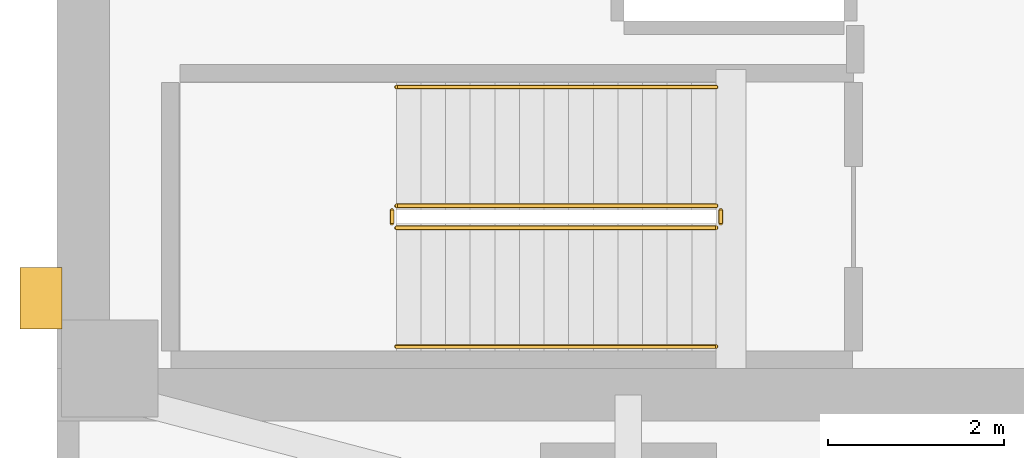
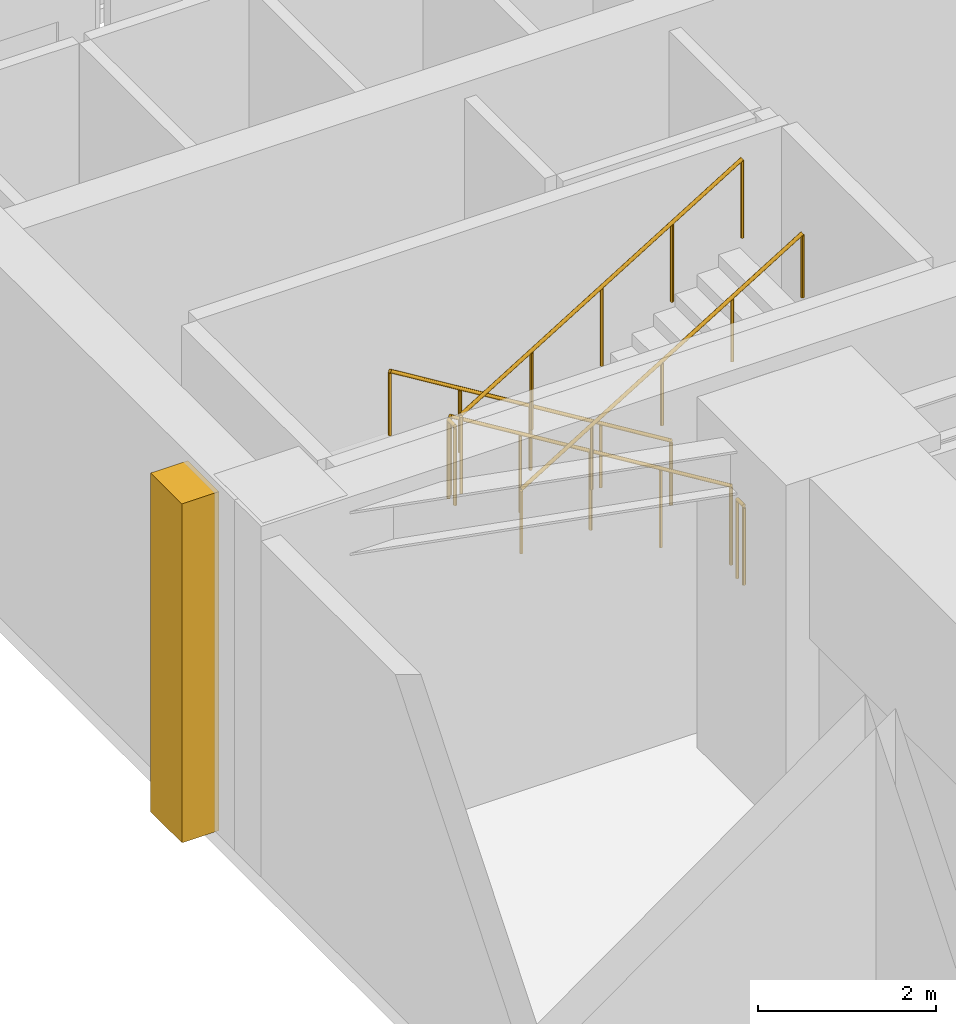
# One storey, part 11 of 14: 6 railings, 1 covering.
"""IFC4 building model written with IfcOpenShell, lengths in metres."""

import ifcopenshell
import ifcopenshell.guid

model = None  # the IFC model being written
_history = None  # IfcOwnerHistory: only IFC2X3 demands one
_inside = {}  # id of a spatial element -> (the spatial element, [elements in it])
_under = {}  # id of a project, library or spatial element -> (it, [spatial elements below it])
_declared = {}  # id of a project -> (the project, [libraries it declares])
_typed = {}  # id of a type object -> (the type object, [elements of that type])
_made_of = {}  # id of a material, layer set ... -> (it, [elements and type objects made of it])


def new_model(schema):
    """Start an empty IFC model of exactly this schema.

    Asked for "IFC4X3", IfcOpenShell would pick the latest addendum, in which some entities
    have other attributes; the version numbers below select the first issue.
    IFC2X3 requires an IfcOwnerHistory on every rooted entity: one is made here for all.
    """
    global model, _history
    if schema == "IFC4X3":
        model = ifcopenshell.file(schema_version=(4, 3, 0, 0))
    else:
        model = ifcopenshell.file(schema=schema)
    _inside.clear()
    _under.clear()
    _declared.clear()
    _typed.clear()
    _made_of.clear()
    _history = None
    if model.schema == "IFC2X3":
        org = make("IfcOrganization", Name="unknown")
        user = make(
            "IfcPersonAndOrganization",
            ThePerson=make("IfcPerson", FamilyName="unknown"),
            TheOrganization=org,
        )
        app = make(
            "IfcApplication",
            ApplicationDeveloper=org,
            Version="unknown",
            ApplicationFullName="unknown",
            ApplicationIdentifier="unknown",
        )
        _history = make(
            "IfcOwnerHistory",
            OwningUser=user,
            OwningApplication=app,
            ChangeAction="ADDED",
            CreationDate=0,
        )
    return model


def make(cls, **values):
    """One entity of the class cls with the attributes given. An attribute that is None is left unset."""
    return model.create_entity(
        cls, **{name: value for name, value in values.items() if value is not None}
    )


def rooted(cls, **values):
    """An entity with a GlobalId (a new one), such as an element, a storey or a relation."""
    return make(cls, GlobalId=ifcopenshell.guid.new(), OwnerHistory=_history, **values)


def si_unit(unit_type, name, prefix=None):
    """IfcSIUnit, for example si_unit("LENGTHUNIT", "METRE", prefix="MILLI")."""
    return make("IfcSIUnit", UnitType=unit_type, Prefix=prefix, Name=name)


def assignment(units):
    """IfcUnitAssignment: the units of a project."""
    return None if units is None else make("IfcUnitAssignment", Units=units)


def point(xyz):
    """IfcCartesianPoint."""
    return None if xyz is None else make("IfcCartesianPoint", Coordinates=xyz)


def direction(xyz):
    """IfcDirection."""
    return None if xyz is None else make("IfcDirection", DirectionRatios=xyz)


def frame(location, z_axis=None, x_axis=None):
    """IfcAxis2Placement3D, a coordinate frame: its origin and axes. An axis left out is left unset."""
    return make(
        "IfcAxis2Placement3D",
        Location=point(location),
        Axis=direction(z_axis),
        RefDirection=direction(x_axis),
    )


def frame_2d(location, x_axis=None):
    """IfcAxis2Placement2D, a coordinate frame in the plane: its origin and x axis."""
    return make(
        "IfcAxis2Placement2D", Location=point(location), RefDirection=direction(x_axis)
    )


def origin():
    """The frame at (0, 0, 0) with its axes left unset."""
    return frame((0.0, 0.0, 0.0))


def origin_2d():
    """The frame at (0, 0) in the plane with its x axis left unset."""
    return frame_2d((0.0, 0.0))


def place(relative_to, where):
    """IfcLocalPlacement: puts the frame where relative to a parent placement (None: the world)."""
    return make(
        "IfcLocalPlacement", PlacementRelTo=relative_to, RelativePlacement=where
    )


def context(
    kind, dimensions, precision=None, world=None, true_north=None, identifier=None
):
    """IfcGeometricRepresentationContext, for example the 3D "Model" context."""
    return make(
        "IfcGeometricRepresentationContext",
        ContextIdentifier=identifier,
        ContextType=kind,
        CoordinateSpaceDimension=dimensions,
        Precision=precision,
        WorldCoordinateSystem=world,
        TrueNorth=true_north,
    )


def subcontext(parent, identifier, kind, view, scale=None):
    """IfcGeometricRepresentationSubContext, for example "Body" below "Model"."""
    return make(
        "IfcGeometricRepresentationSubContext",
        ContextIdentifier=identifier,
        ContextType=kind,
        ParentContext=parent,
        TargetScale=scale,
        TargetView=view,
    )


def project(units=None, contexts=None):
    """IfcProject with its units and contexts."""
    return rooted(
        "IfcProject",
        Name="project",
        RepresentationContexts=contexts,
        UnitsInContext=assignment(units),
    )


def spatial(cls, under=None, at=None, **own):
    """A site, building, storey or space (cls), placed at a placement, below another one or the project."""
    s = rooted(cls, ObjectPlacement=at, **own)
    if under is not None:
        _under.setdefault(under.id(), (under, []))[1].append(s)
    return s


def polyline(points):
    """IfcPolyline through the points."""
    return make("IfcPolyline", Points=[point(p) for p in points])


def profile(cls, at=None, kind="AREA", **sizes):
    """A parametric profile (cls). Its sizes go by their IFC names, for example OverallWidth=200.0."""
    return make(cls, ProfileType=kind, Position=at, **sizes)


def circle(**sizes):
    """IfcCircleProfileDef."""
    return profile("IfcCircleProfileDef", **sizes)


def outline(outer, holes=None, kind="AREA"):
    """IfcArbitraryClosedProfileDef: a profile drawn as a closed curve; with holes, ...WithVoids."""
    if holes is None:
        return make("IfcArbitraryClosedProfileDef", ProfileType=kind, OuterCurve=outer)
    return make(
        "IfcArbitraryProfileDefWithVoids",
        ProfileType=kind,
        OuterCurve=outer,
        InnerCurves=holes,
    )


def extrude(swept, where, along, depth):
    """IfcExtrudedAreaSolid: the profile swept, set in the frame where, extruded along a direction by depth."""
    return make(
        "IfcExtrudedAreaSolid",
        SweptArea=swept,
        Position=where,
        ExtrudedDirection=direction(along),
        Depth=depth,
    )


def shape(context_of_items, identifier, shape_type, items):
    """IfcShapeRepresentation: the items that make up one representation, for example the "Body"."""
    return make(
        "IfcShapeRepresentation",
        ContextOfItems=context_of_items,
        RepresentationIdentifier=identifier,
        RepresentationType=shape_type,
        Items=items,
    )


def material(Name=None, Category=None):
    """IfcMaterial."""
    return make("IfcMaterial", Name=Name, Category=Category)


def layer(
    of_material, thickness, ventilated=None, Name=None, Category=None, Priority=None
):
    """IfcMaterialLayer: one layer of a wall or slab, of a material (None: an air gap)."""
    return make(
        "IfcMaterialLayer",
        Material=of_material,
        LayerThickness=thickness,
        IsVentilated=ventilated,
        Name=Name,
        Category=Category,
        Priority=Priority,
    )


def layer_set(layers, Name=None):
    """IfcMaterialLayerSet."""
    return make("IfcMaterialLayerSet", MaterialLayers=layers, LayerSetName=Name)


def made_of(thing, what):
    """Note that an element or type object is made of a material, layer set ...; save() writes the relation."""
    if what is not None:
        _made_of.setdefault(what.id(), (what, []))[1].append(thing)
    return thing


def type_object(cls, material=None, **own):
    """A type object (cls), such as IfcWallType, which elements share."""
    return made_of(rooted(cls, **own), material)


def element(
    cls,
    number,
    at=None,
    inside=None,
    cuts=None,
    type_object=None,
    material=None,
    context=None,
    identifier="Body",
    shape_type=None,
    held_by="IfcProductDefinitionShape",
    body=None,
    shapes=None,
    **own,
):
    """One element of the class cls, such as IfcWall. Its Tag is "e" and its number.

    at: its placement. inside: the storey or other place that contains it. cuts: it is an
    opening in that element (IfcRelVoidsElement). A single representation is given by context,
    identifier, shape_type and body (its items); several are given by shapes. held_by: the class
    of the entity that holds the representations. save() writes the other relations.
    """
    e = rooted(cls, Tag="e%d" % number, ObjectPlacement=at, **own)
    if body is not None:
        shapes = [shape(context, identifier, shape_type, body)]
    if shapes is not None:
        e.Representation = make(held_by, Representations=shapes)
    if inside is not None:
        _inside.setdefault(inside.id(), (inside, []))[1].append(e)
    if cuts is not None:
        rooted(
            "IfcRelVoidsElement", RelatingBuildingElement=cuts, RelatedOpeningElement=e
        )
    if type_object is not None:
        _typed.setdefault(type_object.id(), (type_object, []))[1].append(e)
    return made_of(e, material)


def aggregate(whole, parts):
    """IfcRelAggregates: a whole, such as a stair, and the parts it consists of."""
    return rooted("IfcRelAggregates", RelatingObject=whole, RelatedObjects=parts)


def save(model, path):
    """Write the relations noted so far, then the file.

    IfcRelAggregates (storeys below a building ...), IfcRelContainedInSpatialStructure (elements
    in a storey), IfcRelDefinesByType, IfcRelAssociatesMaterial and IfcRelDeclares: one each for
    every whole, place, type object, material and project.
    """
    for whole, parts in _under.values():
        aggregate(whole, parts)
    for where, things in _inside.values():
        rooted(
            "IfcRelContainedInSpatialStructure",
            RelatedElements=things,
            RelatingStructure=where,
        )
    for kind, things in _typed.values():
        rooted("IfcRelDefinesByType", RelatedObjects=things, RelatingType=kind)
    for what, things in _made_of.values():
        rooted("IfcRelAssociatesMaterial", RelatedObjects=things, RelatingMaterial=what)
    for by, libraries in _declared.values():
        rooted("IfcRelDeclares", RelatingContext=by, RelatedDefinitions=libraries)
    model.write(path)


model = new_model("IFC4")

# Units and contexts
model_context = context("Model", 3, precision=1e-05, world=origin(), true_north=direction((0.0, 1.0)))
body_context = subcontext(model_context, "Body", "Model", "MODEL_VIEW")
ifc_project = project(units=[si_unit("LENGTHUNIT", "METRE"), si_unit("AREAUNIT", "SQUARE_METRE"), si_unit("VOLUMEUNIT", "CUBIC_METRE"), si_unit("PLANEANGLEUNIT", "RADIAN"), si_unit("MASSUNIT", "GRAM", prefix="KILO")], contexts=[model_context])

# Site, building, storey
site_placement = place(None, origin())
site = spatial("IfcSite", under=ifc_project, at=site_placement, CompositionType="ELEMENT")
building_placement = place(site_placement, origin())
building = spatial("IfcBuilding", under=site, at=building_placement, Name="Kinhvarn Gate Tower", CompositionType="ELEMENT")
storey_placement = place(building_placement, frame((0.0, 0.0, 173.25)))
storey = spatial("IfcBuildingStorey", under=building, at=storey_placement, Name="L46", CompositionType="ELEMENT", Elevation=173.25)

# Covering
ifc_material_1 = material(Name="Precast white architectural concrete C40/50", Category="concrete")
ifc_layer = layer(ifc_material_1, 0.47998046875)
ifc_layer_set = layer_set([ifc_layer], Name="Precast white architectural concrete C40/50")
covering_type = type_object("IfcCoveringType", Name="COV-RIB-450", PredefinedType="CLADDING", material=ifc_layer_set)
covering_placement = place(storey_placement, frame((0.0, 0.0, -0.02001953125)))
element("IfcCovering", 1, at=covering_placement, inside=storey, type_object=covering_type, Name="West Core Sculptural Concrete Relief Rib CRB-450 (L46)", PredefinedType="CLADDING", context=body_context, shape_type="SweptSolid", body=[
    extrude(outline(polyline([(4.080078125, 15.050048828125), (4.56005859375, 15.050048828125), (4.56005859375, 15.75), (4.080078125, 15.75), (4.080078125, 15.050048828125)])), origin(), (0.0, 0.0, 1.0), 4.64013671875),
])

# Railings
ifc_material_2 = material(Name="Steel S355", Category="steel")
railing_type_1 = type_object("IfcRailingType", Name="RL-ST-GRD", PredefinedType="BALUSTRADE", material=ifc_material_2)
railing_1_placement = place(storey_placement, frame((12.0, 16.449951171875, 0.17138671875)))
element("IfcRailing", 2, at=railing_1_placement, inside=storey, type_object=railing_type_1, Name="L46 ST1 stair guard 1", PredefinedType="BALUSTRADE", context=body_context, shape_type="SweptSolid", body=[
    extrude(circle(Radius=0.02392578125, at=origin_2d()), frame((0.0, 0.0, 1.076171875), z_axis=(-0.852850264322, 0.0, 0.5221555579), x_axis=(0.0, -1.0, 0.0)), (0.0, 0.0, 1.0), 4.267822265625),
    extrude(circle(Radius=0.02099609375, at=origin_2d()), origin(), (0.0, 0.0, 1.0), 1.052001953125),
    extrude(circle(Radius=0.02099609375, at=origin_2d()), frame((-0.909912109375, 0.0, 0.55712890625)), (0.0, 0.0, 1.0), 1.052001953125),
    extrude(circle(Radius=0.02099609375, at=origin_2d()), frame((-1.81982421875, 0.0, 1.1142578125)), (0.0, 0.0, 1.0), 1.052001953125),
    extrude(circle(Radius=0.02099609375, at=origin_2d()), frame((-2.72998046875, 0.0, 1.67138671875)), (0.0, 0.0, 1.0), 1.052001953125),
    extrude(circle(Radius=0.02099609375, at=origin_2d()), frame((-3.639892578125, 0.0, 2.228515625)), (0.0, 0.0, 1.0), 1.052001953125),
])
railing_2_placement = place(storey_placement, frame((8.31005859375, 16.39990234375, 2.39990234375)))
element("IfcRailing", 3, at=railing_2_placement, inside=storey, type_object=railing_type_1, Name="L46 ST1 stair guard 2", PredefinedType="BALUSTRADE", context=body_context, shape_type="SweptSolid", body=[
    extrude(circle(Radius=0.02392578125, at=origin_2d()), frame((0.0, 0.0, 1.076171875), z_axis=(0.0, -1.0, 0.0), x_axis=(1.0, 0.0, 0.0)), (0.0, 0.0, 1.0), 0.14990234375),
    extrude(circle(Radius=0.02099609375, at=origin_2d()), origin(), (0.0, 0.0, 1.0), 1.052001953125),
    extrude(circle(Radius=0.02099609375, at=origin_2d()), frame((0.0, -0.14990234375, 0.0)), (0.0, 0.0, 1.0), 1.052001953125),
])
railing_3_placement = place(storey_placement, frame((8.360107421875, 16.199951171875, 2.571533203125)))
element("IfcRailing", 4, at=railing_3_placement, inside=storey, type_object=railing_type_1, Name="L46 ST1 stair guard 3", PredefinedType="BALUSTRADE", context=body_context, shape_type="SweptSolid", body=[
    extrude(circle(Radius=0.02392578125, at=origin_2d()), frame((0.0, 0.0, 1.076171875), z_axis=(0.852850264322, 0.0, 0.5221555579), x_axis=(0.0, 1.0, 0.0)), (0.0, 0.0, 1.0), 4.267822265625),
    extrude(circle(Radius=0.02099609375, at=origin_2d()), origin(), (0.0, 0.0, 1.0), 1.052001953125),
    extrude(circle(Radius=0.02099609375, at=origin_2d()), frame((0.909912109375, 0.0, 0.55712890625)), (0.0, 0.0, 1.0), 1.052001953125),
    extrude(circle(Radius=0.02099609375, at=origin_2d()), frame((1.81982421875, 0.0, 1.1142578125)), (0.0, 0.0, 1.0), 1.052001953125),
    extrude(circle(Radius=0.02099609375, at=origin_2d()), frame((2.72998046875, 0.0, 1.67138671875)), (0.0, 0.0, 1.0), 1.052001953125),
    extrude(circle(Radius=0.02099609375, at=origin_2d()), frame((3.639892578125, 0.0, 2.228515625)), (0.0, 0.0, 1.0), 1.052001953125),
])
railing_4_placement = place(storey_placement, frame((12.050048828125, 16.39990234375, 0.0)))
element("IfcRailing", 5, at=railing_4_placement, inside=storey, type_object=railing_type_1, Name="L46 ST1 stair guard 4", PredefinedType="BALUSTRADE", context=body_context, shape_type="SweptSolid", body=[
    extrude(circle(Radius=0.02392578125, at=origin_2d()), frame((0.0, 0.0, 1.076171875), z_axis=(0.0, -1.0, 0.0), x_axis=(1.0, 0.0, 0.0)), (0.0, 0.0, 1.0), 0.14990234375),
    extrude(circle(Radius=0.02099609375, at=origin_2d()), origin(), (0.0, 0.0, 1.0), 1.052001953125),
    extrude(circle(Radius=0.02099609375, at=origin_2d()), frame((0.0, -0.14990234375, 0.0)), (0.0, 0.0, 1.0), 1.052001953125),
])
railing_type_2 = type_object("IfcRailingType", Name="RL-ST-HND", PredefinedType="HANDRAIL", material=ifc_material_2)
railing_5_placement = place(storey_placement, frame((12.0, 17.800048828125, 0.17138671875)))
element("IfcRailing", 6, at=railing_5_placement, inside=storey, type_object=railing_type_2, Name="L46 ST1 stair handrail 1", PredefinedType="HANDRAIL", context=body_context, shape_type="SweptSolid", body=[
    extrude(circle(Radius=0.02392578125, at=origin_2d()), frame((0.0, 0.0, 0.8759765625), z_axis=(-0.852850264322, 0.0, 0.5221555579), x_axis=(0.0, -1.0, 0.0)), (0.0, 0.0, 1.0), 4.267822265625),
    extrude(circle(Radius=0.02099609375, at=origin_2d()), origin(), (0.0, 0.0, 1.0), 0.851806640625),
    extrude(circle(Radius=0.02099609375, at=origin_2d()), frame((-0.909912109375, 0.0, 0.55712890625)), (0.0, 0.0, 1.0), 0.851806640625),
    extrude(circle(Radius=0.02099609375, at=origin_2d()), frame((-1.81982421875, 0.0, 1.1142578125)), (0.0, 0.0, 1.0), 0.851806640625),
    extrude(circle(Radius=0.02099609375, at=origin_2d()), frame((-2.72998046875, 0.0, 1.67138671875)), (0.0, 0.0, 1.0), 0.851806640625),
    extrude(circle(Radius=0.02099609375, at=origin_2d()), frame((-3.639892578125, 0.0, 2.228515625)), (0.0, 0.0, 1.0), 0.851806640625),
])
railing_6_placement = place(storey_placement, frame((8.360107421875, 14.85009765625, 2.571533203125)))
element("IfcRailing", 7, at=railing_6_placement, inside=storey, type_object=railing_type_2, Name="L46 ST1 stair handrail 2", PredefinedType="HANDRAIL", context=body_context, shape_type="SweptSolid", body=[
    extrude(circle(Radius=0.02392578125, at=origin_2d()), frame((0.0, 0.0, 0.8759765625), z_axis=(0.852850264322, 0.0, 0.5221555579), x_axis=(0.0, 1.0, 0.0)), (0.0, 0.0, 1.0), 4.267822265625),
    extrude(circle(Radius=0.02099609375, at=origin_2d()), origin(), (0.0, 0.0, 1.0), 0.851806640625),
    extrude(circle(Radius=0.02099609375, at=origin_2d()), frame((0.909912109375, 0.0, 0.55712890625)), (0.0, 0.0, 1.0), 0.851806640625),
    extrude(circle(Radius=0.02099609375, at=origin_2d()), frame((1.81982421875, 0.0, 1.1142578125)), (0.0, 0.0, 1.0), 0.851806640625),
    extrude(circle(Radius=0.02099609375, at=origin_2d()), frame((2.72998046875, 0.0, 1.67138671875)), (0.0, 0.0, 1.0), 0.851806640625),
    extrude(circle(Radius=0.02099609375, at=origin_2d()), frame((3.639892578125, 0.0, 2.228515625)), (0.0, 0.0, 1.0), 0.851806640625),
])

save(model, "model.ifc")
